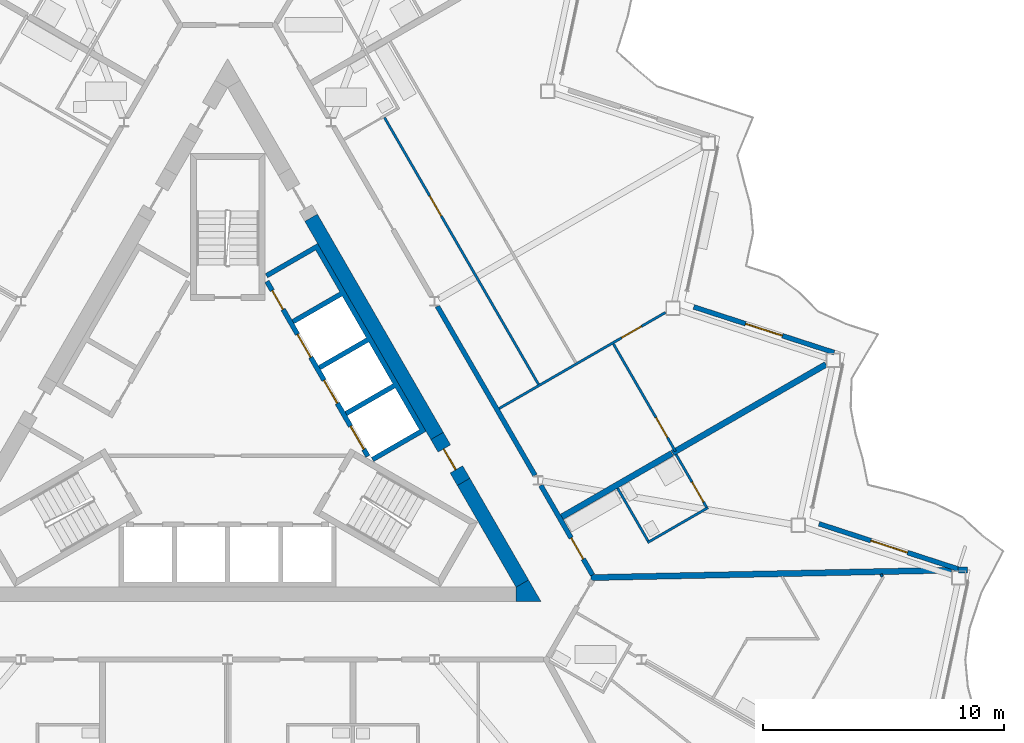
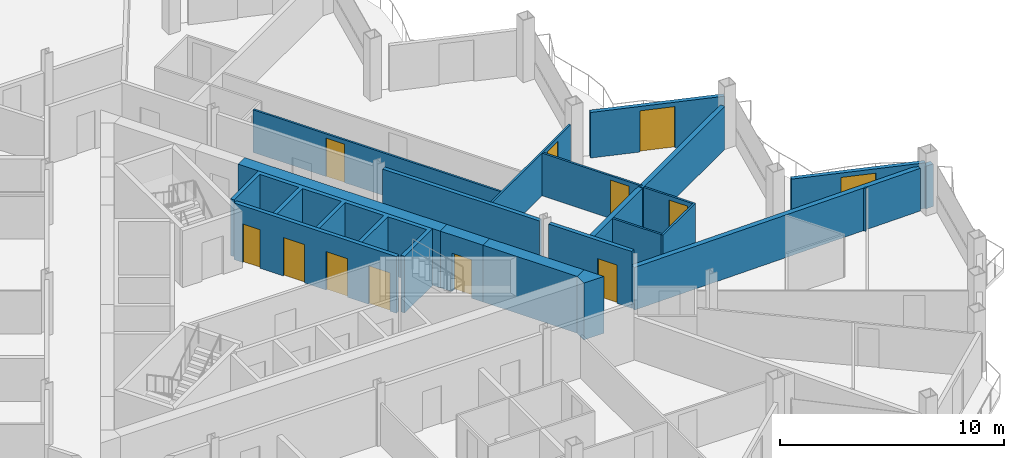
# One storey, part 17 of 27: 21 walls, 12 doors, 12 openings.
"""IFC4 building model written with IfcOpenShell, lengths in metres."""

from ifc_helpers import new_model, si_unit, direction, frame, frame_2d, origin, place, context, subcontext, project, spatial, polyline, rectangle, outline, extrude, material, layer, layer_set, type_object, element, fill, save


model = new_model("IFC4")

# Units and contexts
model_context = context("Model", 3, precision=1e-05, world=origin(), true_north=direction((0.0, 1.0)))
body_context = subcontext(model_context, "Body", "Model", "MODEL_VIEW")
ifc_project = project(units=[si_unit("LENGTHUNIT", "METRE"), si_unit("AREAUNIT", "SQUARE_METRE"), si_unit("VOLUMEUNIT", "CUBIC_METRE"), si_unit("PLANEANGLEUNIT", "RADIAN"), si_unit("MASSUNIT", "GRAM", prefix="KILO")], contexts=[model_context])

# Site, building, storey
site_placement = place(None, origin())
site = spatial("IfcSite", under=ifc_project, at=site_placement, CompositionType="ELEMENT")
building_placement = place(site_placement, origin())
building = spatial("IfcBuilding", under=site, at=building_placement, Name="Cormorant Prow Tower", CompositionType="ELEMENT")
storey_placement = place(building_placement, frame((0.0, 0.0, 318.800048828125)))
storey = spatial("IfcBuildingStorey", under=building, at=storey_placement, Name="L70", CompositionType="ELEMENT", Elevation=318.800048828125)

# Walls
ifc_material_1 = material(Name="Concrete 8000 psi", Category="concrete")
ifc_layer_1 = layer(ifc_material_1, 0.60009765625)
ifc_layer_set_1 = layer_set([ifc_layer_1], Name="Concrete 8000 psi")
wall_type_1 = type_object("IfcWallType", Name="Core shear wall 600", PredefinedType="SHEAR", material=ifc_layer_set_1)
wall_1_placement = place(storey_placement, frame((8.686279296875, -0.6337890625, 0.0), z_axis=(0.0, 0.0, 1.0), x_axis=(-0.50001836461, 0.866014800712, 0.0)))
element("IfcWall", 1, at=wall_1_placement, inside=storey, type_object=wall_type_1, Name="Core wall", PredefinedType="SHEAR", context=body_context, shape_type="SweptSolid", body=[
    extrude(rectangle(XDim=10.45068359375, YDim=0.60009765625, at=frame_2d((5.225341796875, 0.0))), origin(), (0.0, 0.0, 1.0), 3.099853515625),
])
wall_2_placement = place(storey_placement, frame((12.220703125, -6.755615234375, 0.0), z_axis=(0.0, 0.0, 1.0), x_axis=(-0.50000604952, 0.866021911064, 0.0)))
element("IfcWall", 2, at=wall_2_placement, inside=storey, type_object=wall_type_1, Name="Core wall", PredefinedType="SHEAR", context=body_context, shape_type="SweptSolid", body=[
    extrude(rectangle(XDim=4.86865234375, YDim=0.60009765625, at=frame_2d((2.434326171875, 0.0))), origin(), (0.0, 0.0, 1.0), 3.099853515625),
])
wall_3_placement = place(storey_placement, origin())
element("IfcWall", 3, at=wall_3_placement, inside=storey, type_object=wall_type_1, Name="Core wall corner", PredefinedType="SHEAR", context=body_context, shape_type="SweptSolid", body=[
    extrude(outline(polyline([(11.960693359375, -7.505615234375), (11.960693359375, -6.905517578125), (12.48046875, -6.605712890625), (13.0, -7.505615234375), (11.960693359375, -7.505615234375)])), origin(), (0.0, 0.0, 1.0), 3.099853515625),
])

# Wall, opening, door
wall_4_placement = place(storey_placement, frame((9.786376953125, -2.539306640625, 0.0), z_axis=(0.0, 0.0, 1.0), x_axis=(-0.499981787252, 0.866035918664, 0.0)))
wall_4 = element("IfcWall", 4, at=wall_4_placement, inside=storey, type_object=wall_type_1, Name="Core wall door panel", PredefinedType="SHEAR", context=body_context, shape_type="SweptSolid", body=[
    extrude(rectangle(XDim=2.2001953125, YDim=0.60009765625, at=frame_2d((1.10009765625, 0.0))), origin(), (0.0, 0.0, 1.0), 3.099853515625),
])
opening_1_placement = place(wall_4_placement, frame((0.60009765625, 0.0, 0.0)))
opening_1 = element("IfcOpeningElement", 5, at=opening_1_placement, cuts=wall_4, Name="Opening L70-C16", PredefinedType="OPENING", context=body_context, shape_type="SweptSolid", body=[
    extrude(rectangle(XDim=1.0, YDim=2.10009765625, at=frame_2d((0.5, 1.050048828125))), frame((0.0, 0.31005859375, 0.0), z_axis=(0.0, -1.0, 0.0), x_axis=(1.0, 0.0, 0.0)), (0.0, 0.0, 1.0), 0.6201171875),
])
ifc_material_2 = material(Name="Painted steel", Category="steel")
door_type_1 = type_object("IfcDoorType", Name="Service door 1000x2100", OperationType="NOTDEFINED", PredefinedType="DOOR", material=ifc_material_2)
door_1_placement = place(opening_1_placement, origin())
door_1 = element("IfcDoor", 6, at=door_1_placement, inside=storey, type_object=door_type_1, Name="Core door, Telecom room", OperationType="SINGLE_SWING_LEFT", OverallHeight=2.10009765625, OverallWidth=1.0, PredefinedType="DOOR", context=body_context, shape_type="SweptSolid", body=[
    extrude(rectangle(XDim=1.0, YDim=2.10009765625, at=frame_2d((0.5, 1.050048828125))), frame((0.0, 0.05517578125, 0.0), z_axis=(0.0, -1.0, 0.0), x_axis=(1.0, 0.0, 0.0)), (0.0, 0.0, 1.0), 0.050048828125),
])
fill(opening_1, door_1)

# Wall
ifc_material_3 = material(Name="Gypsum board corridor wall")
ifc_layer_2 = layer(ifc_material_3, 0.199951171875)
ifc_layer_set_2 = layer_set([ifc_layer_2], Name="Gypsum board corridor wall")
wall_type_2 = type_object("IfcWallType", Name="Corridor wall 200", PredefinedType="PARTITIONING", material=ifc_layer_set_2)
wall_5_placement = place(storey_placement, frame((8.698486328125, 4.7451171875, 0.0), z_axis=(0.0, 0.0, 1.0), x_axis=(0.499984266882, -0.866034487114, 0.0)))
element("IfcWall", 7, at=wall_5_placement, inside=storey, type_object=wall_type_2, Name="Corridor wall", PredefinedType="PARTITIONING", context=body_context, shape_type="SweptSolid", body=[
    extrude(rectangle(XDim=8.098876953125, YDim=0.199951171875, at=frame_2d((4.04931640625, 0.0))), origin(), (0.0, 0.0, 1.0), 3.099853515625),
])

# Wall, opening, door
wall_6_placement = place(storey_placement, frame((12.987548828125, -2.68408203125, 0.0), z_axis=(0.0, 0.0, 1.0), x_axis=(0.500003406062, -0.866023437285, 0.0)))
wall_6 = element("IfcWall", 8, at=wall_6_placement, inside=storey, type_object=wall_type_2, Name="Corridor wall", PredefinedType="PARTITIONING", context=body_context, shape_type="SweptSolid", body=[
    extrude(rectangle(XDim=4.28759765625, YDim=0.199951171875, at=frame_2d((2.143798828125, 0.0))), origin(), (0.0, 0.0, 1.0), 3.099853515625),
])
opening_2_placement = place(wall_6_placement, frame((2.521484375, 0.0, 0.0)))
opening_2 = element("IfcOpeningElement", 9, at=opening_2_placement, cuts=wall_6, Name="Opening L70-F23", PredefinedType="OPENING", context=body_context, shape_type="SweptSolid", body=[
    extrude(rectangle(XDim=1.0, YDim=2.10009765625, at=frame_2d((0.5, 1.050048828125))), frame((0.0, 0.10986328125, 0.0), z_axis=(0.0, -1.0, 0.0), x_axis=(1.0, 0.0, 0.0)), (0.0, 0.0, 1.0), 0.219970703125),
])
ifc_material_4 = material(Name="Timber door leaf", Category="wood")
door_type_2 = type_object("IfcDoorType", Name="Flat or room entrance door 1000x2100", OperationType="NOTDEFINED", PredefinedType="DOOR", material=ifc_material_4)
door_2_placement = place(opening_2_placement, origin())
door_2 = element("IfcDoor", 10, at=door_2_placement, inside=storey, type_object=door_type_2, Name="Studio living, kitchen and sleeping room door", OperationType="SINGLE_SWING_LEFT", OverallHeight=2.10009765625, OverallWidth=1.0, PredefinedType="DOOR", context=body_context, shape_type="SweptSolid", body=[
    extrude(rectangle(XDim=1.0, YDim=2.10009765625, at=frame_2d((0.5, 1.050048828125))), frame((0.0, 0.02490234375, 0.0), z_axis=(0.0, -1.0, 0.0), x_axis=(1.0, 0.0, 0.0)), (0.0, 0.0, 1.0), 0.050048828125),
])
fill(opening_2, door_2)

ifc_material_5 = material(Name="Gypsum board partition")
ifc_layer_3 = layer(ifc_material_5, 0.10009765625)
ifc_layer_set_3 = layer_set([ifc_layer_3], Name="Gypsum board partition")
wall_type_3 = type_object("IfcWallType", Name="Internal partition 100", PredefinedType="PARTITIONING", material=ifc_layer_set_3)
wall_7_placement = place(storey_placement, frame((6.50390625, 12.57177734375, 0.0), z_axis=(0.0, 0.0, 1.0), x_axis=(0.499998094172, -0.866026504112, 0.0)))
wall_7 = element("IfcWall", 11, at=wall_7_placement, inside=storey, type_object=wall_type_3, Name="Internal partition", PredefinedType="PARTITIONING", context=body_context, shape_type="SweptSolid", body=[
    extrude(rectangle(XDim=12.7783203125, YDim=0.10009765625, at=frame_2d((6.38916015625, 0.0))), origin(), (0.0, 0.0, 1.0), 2.330078125),
])
opening_3_placement = place(wall_7_placement, frame((3.7587890625, 0.0, 0.0)))
opening_3 = element("IfcOpeningElement", 12, at=opening_3_placement, cuts=wall_7, Name="Opening L70-F27", PredefinedType="OPENING", context=body_context, shape_type="SweptSolid", body=[
    extrude(rectangle(XDim=0.949951171875, YDim=2.10009765625, at=frame_2d((0.47509765625, 1.050048828125))), frame((0.0, 0.06005859375, 0.0), z_axis=(0.0, -1.0, 0.0), x_axis=(1.0, 0.0, 0.0)), (0.0, 0.0, 1.0), 0.1201171875),
])
ifc_material_6 = material(Name="Timber door leaf", Category="wood")
door_type_3 = type_object("IfcDoorType", Name="Bathroom door 950x2100", OperationType="NOTDEFINED", PredefinedType="DOOR", material=ifc_material_6)
door_3_placement = place(opening_3_placement, origin())
door_3 = element("IfcDoor", 13, at=door_3_placement, inside=storey, type_object=door_type_3, Name="Living room door", OperationType="SINGLE_SWING_RIGHT", OverallHeight=2.10009765625, OverallWidth=0.949951171875, PredefinedType="DOOR", context=body_context, shape_type="SweptSolid", body=[
    extrude(rectangle(XDim=0.949951171875, YDim=2.10009765625, at=frame_2d((0.47509765625, 1.050048828125))), frame((0.0, 0.02490234375, 0.0), z_axis=(0.0, -1.0, 0.0), x_axis=(1.0, 0.0, 0.0)), (0.0, 0.0, 1.0), 0.050048828125),
])
fill(opening_3, door_3)

wall_8_placement = place(storey_placement, frame((11.261474609375, 0.505615234375, 0.0), z_axis=(0.0, 0.0, 1.0), x_axis=(0.866024323732, 0.500001870701, 0.0)))
wall_8 = element("IfcWall", 14, at=wall_8_placement, inside=storey, type_object=wall_type_3, Name="Internal partition", PredefinedType="PARTITIONING", context=body_context, shape_type="SweptSolid", body=[
    extrude(rectangle(XDim=7.966796875, YDim=0.10009765625, at=frame_2d((3.9833984375, 0.0))), origin(), (0.0, 0.0, 1.0), 2.330078125),
])
opening_4_placement = place(wall_8_placement, frame((5.864501953125, 0.0, 0.0)))
opening_4 = element("IfcOpeningElement", 15, at=opening_4_placement, cuts=wall_8, Name="Opening L70-F29", PredefinedType="OPENING", context=body_context, shape_type="SweptSolid", body=[
    extrude(rectangle(XDim=0.949951171875, YDim=2.10009765625, at=frame_2d((0.47509765625, 1.050048828125))), frame((0.0, 0.06005859375, 0.0), z_axis=(0.0, -1.0, 0.0), x_axis=(1.0, 0.0, 0.0)), (0.0, 0.0, 1.0), 0.1201171875),
])
door_4_placement = place(opening_4_placement, origin())
door_4 = element("IfcDoor", 16, at=door_4_placement, inside=storey, type_object=door_type_3, Name="Dining room door", OperationType="SINGLE_SWING_LEFT", OverallHeight=2.10009765625, OverallWidth=0.949951171875, PredefinedType="DOOR", context=body_context, shape_type="SweptSolid", body=[
    extrude(rectangle(XDim=0.949951171875, YDim=2.10009765625, at=frame_2d((0.47509765625, 1.050048828125))), frame((0.0, 0.02490234375, 0.0), z_axis=(0.0, -1.0, 0.0), x_axis=(1.0, 0.0, 0.0)), (0.0, 0.0, 1.0), 0.050048828125),
])
fill(opening_4, door_4)

wall_9_placement = place(storey_placement, frame((15.9990234375, 3.18310546875, 0.0), z_axis=(0.0, 0.0, 1.0), x_axis=(0.500014207086, -0.866017201164, 0.0)))
wall_9 = element("IfcWall", 17, at=wall_9_placement, inside=storey, type_object=wall_type_3, Name="Internal partition", PredefinedType="PARTITIONING", context=body_context, shape_type="SweptSolid", body=[
    extrude(rectangle(XDim=5.142822265625, YDim=0.10009765625, at=frame_2d((2.5712890625, 0.0))), origin(), (0.0, 0.0, 1.0), 2.330078125),
])
opening_5_placement = place(wall_9_placement, frame((3.532470703125, 0.0, 0.0)))
opening_5 = element("IfcOpeningElement", 18, at=opening_5_placement, cuts=wall_9, Name="Opening L70-F30", PredefinedType="OPENING", context=body_context, shape_type="SweptSolid", body=[
    extrude(rectangle(XDim=0.949951171875, YDim=2.10009765625, at=frame_2d((0.47509765625, 1.050048828125))), frame((0.0, 0.06005859375, 0.0), z_axis=(0.0, -1.0, 0.0), x_axis=(1.0, 0.0, 0.0)), (0.0, 0.0, 1.0), 0.1201171875),
])
door_5_placement = place(opening_5_placement, origin())
door_5 = element("IfcDoor", 19, at=door_5_placement, inside=storey, type_object=door_type_3, Name="Bedroom door", OperationType="SINGLE_SWING_RIGHT", OverallHeight=2.10009765625, OverallWidth=0.949951171875, PredefinedType="DOOR", context=body_context, shape_type="SweptSolid", body=[
    extrude(rectangle(XDim=0.949951171875, YDim=2.10009765625, at=frame_2d((0.47509765625, 1.050048828125))), frame((0.0, 0.02490234375, 0.0), z_axis=(0.0, -1.0, 0.0), x_axis=(1.0, 0.0, 0.0)), (0.0, 0.0, 1.0), 0.050048828125),
])
fill(opening_5, door_5)

# Walls
wall_10_placement = place(storey_placement, frame((17.416259765625, -5.0546875, 0.0), z_axis=(0.0, 0.0, 1.0), x_axis=(0.866032775405, 0.499987231761, 0.0)))
element("IfcWall", 20, at=wall_10_placement, inside=storey, type_object=wall_type_3, Name="Internal partition", PredefinedType="PARTITIONING", context=body_context, shape_type="SweptSolid", body=[
    extrude(rectangle(XDim=2.89990234375, YDim=0.10009765625, at=frame_2d((1.449951171875, 0.0))), origin(), (0.0, 0.0, 1.0), 2.330078125),
])
wall_11_placement = place(storey_placement, frame((16.172119140625, -2.7998046875, 0.0), z_axis=(0.0, 0.0, 1.0), x_axis=(0.50001820224, -0.866014894461, 0.0)))
element("IfcWall", 21, at=wall_11_placement, inside=storey, type_object=wall_type_3, Name="Internal partition", PredefinedType="PARTITIONING", context=body_context, shape_type="SweptSolid", body=[
    extrude(rectangle(XDim=2.52490234375, YDim=0.10009765625, at=frame_2d((1.262451171875, 0.0))), origin(), (0.0, 0.0, 1.0), 2.330078125),
])

# Wall, opening, door
wall_12_placement = place(storey_placement, frame((18.596923828125, -1.399658203125, 0.0), z_axis=(0.0, 0.0, 1.0), x_axis=(0.499976333282, -0.866039067339, 0.0)))
wall_12 = element("IfcWall", 22, at=wall_12_placement, inside=storey, type_object=wall_type_3, Name="Internal partition", PredefinedType="PARTITIONING", context=body_context, shape_type="SweptSolid", body=[
    extrude(rectangle(XDim=2.52490234375, YDim=0.10009765625, at=frame_2d((1.262451171875, 0.0))), origin(), (0.0, 0.0, 1.0), 2.330078125),
])
opening_6_placement = place(wall_12_placement, frame((1.324951171875, 0.0, 0.0)))
opening_6 = element("IfcOpeningElement", 23, at=opening_6_placement, cuts=wall_12, Name="Opening L70-F24", PredefinedType="OPENING", context=body_context, shape_type="SweptSolid", body=[
    extrude(rectangle(XDim=0.949951171875, YDim=2.10009765625, at=frame_2d((0.47509765625, 1.050048828125))), frame((0.0, 0.06005859375, 0.0), z_axis=(0.0, -1.0, 0.0), x_axis=(1.0, 0.0, 0.0)), (0.0, 0.0, 1.0), 0.1201171875),
])
door_6_placement = place(opening_6_placement, origin())
door_6 = element("IfcDoor", 24, at=door_6_placement, inside=storey, type_object=door_type_3, Name="Studio living, kitchen and sleeping room door", OperationType="SINGLE_SWING_RIGHT", OverallHeight=2.10009765625, OverallWidth=0.949951171875, PredefinedType="DOOR", context=body_context, shape_type="SweptSolid", body=[
    extrude(rectangle(XDim=0.949951171875, YDim=2.10009765625, at=frame_2d((0.47509765625, 1.050048828125))), frame((0.0, 0.02490234375, 0.0), z_axis=(0.0, -1.0, 0.0), x_axis=(1.0, 0.0, 0.0)), (0.0, 0.0, 1.0), 0.050048828125),
])
fill(opening_6, door_6)

# Wall
wall_13_placement = place(storey_placement, frame((27.095703125, -6.369140625, 0.0), z_axis=(0.0, 0.0, 1.0), x_axis=(0.500768285049, -0.865581379588, 0.0)))
element("IfcWall", 25, at=wall_13_placement, inside=storey, type_object=wall_type_3, Name="Internal partition", PredefinedType="PARTITIONING", context=body_context, shape_type="SweptSolid", body=[
    extrude(rectangle(XDim=0.107666015625, YDim=0.10009765625, at=frame_2d((0.0537109375, 0.0))), origin(), (0.0, 0.0, 1.0), 2.330078125),
])

# Wall, openings, doors
ifc_material_7 = material(Name="Concrete 5000 psi", Category="concrete")
ifc_layer_4 = layer(ifc_material_7, 0.199951171875)
ifc_layer_set_4 = layer_set([ifc_layer_4], Name="Concrete 5000 psi")
wall_type_4 = type_object("IfcWallType", Name="Lift lobby wall 200", PredefinedType="SOLIDWALL", material=ifc_layer_set_4)
wall_14_placement = place(storey_placement, frame((5.817138671875, -1.4755859375, 0.0), z_axis=(0.0, 0.0, 1.0), x_axis=(-0.500002616675, 0.866023893041, 0.0)))
wall_14 = element("IfcWall", 26, at=wall_14_placement, inside=storey, type_object=wall_type_4, Name="Lift lobby wall, ENE block", PredefinedType="SOLIDWALL", context=body_context, shape_type="SweptSolid", body=[
    extrude(rectangle(XDim=8.373046875, YDim=0.199951171875, at=frame_2d((4.1865234375, 0.0))), origin(), (0.0, 0.0, 1.0), 3.099853515625),
])
opening_7_placement = place(wall_14_placement, frame((0.336669921875, 0.0, 0.0)))
opening_7 = element("IfcOpeningElement", 27, at=opening_7_placement, cuts=wall_14, Name="Opening L70-C05", PredefinedType="OPENING", context=body_context, shape_type="SweptSolid", body=[
    extrude(rectangle(XDim=1.10009765625, YDim=2.10009765625, at=frame_2d((0.550048828125, 1.050048828125))), frame((0.0, 0.10986328125, 0.0), z_axis=(0.0, -1.0, 0.0), x_axis=(1.0, 0.0, 0.0)), (0.0, 0.0, 1.0), 0.219970703125),
])
opening_8_placement = place(wall_14_placement, frame((2.53662109375, 0.0, 0.0)))
opening_8 = element("IfcOpeningElement", 28, at=opening_8_placement, cuts=wall_14, Name="Opening L70-C06", PredefinedType="OPENING", context=body_context, shape_type="SweptSolid", body=[
    extrude(rectangle(XDim=1.10009765625, YDim=2.10009765625, at=frame_2d((0.550048828125, 1.050048828125))), frame((0.0, 0.10986328125, 0.0), z_axis=(0.0, -1.0, 0.0), x_axis=(1.0, 0.0, 0.0)), (0.0, 0.0, 1.0), 0.219970703125),
])
opening_9_placement = place(wall_14_placement, frame((4.736572265625, 0.0, 0.0)))
opening_9 = element("IfcOpeningElement", 29, at=opening_9_placement, cuts=wall_14, Name="Opening L70-C07", PredefinedType="OPENING", context=body_context, shape_type="SweptSolid", body=[
    extrude(rectangle(XDim=1.10009765625, YDim=2.10009765625, at=frame_2d((0.550048828125, 1.050048828125))), frame((0.0, 0.10986328125, 0.0), z_axis=(0.0, -1.0, 0.0), x_axis=(1.0, 0.0, 0.0)), (0.0, 0.0, 1.0), 0.219970703125),
])
opening_10_placement = place(wall_14_placement, frame((7.03662109375, 0.0, 0.0)))
opening_10 = element("IfcOpeningElement", 30, at=opening_10_placement, cuts=wall_14, Name="Opening L70-C08", PredefinedType="OPENING", context=body_context, shape_type="SweptSolid", body=[
    extrude(rectangle(XDim=0.89990234375, YDim=2.10009765625, at=frame_2d((0.449951171875, 1.050048828125))), frame((0.0, 0.10986328125, 0.0), z_axis=(0.0, -1.0, 0.0), x_axis=(1.0, 0.0, 0.0)), (0.0, 0.0, 1.0), 0.219970703125),
])
ifc_material_8 = material(Name="Painted steel", Category="steel")
door_type_4 = type_object("IfcDoorType", Name="Lift landing door 1100x2100", OperationType="SLIDING_TO_LEFT", PredefinedType="DOOR", material=ifc_material_8)
door_7_placement = place(opening_7_placement, origin())
door_7 = element("IfcDoor", 31, at=door_7_placement, inside=storey, type_object=door_type_4, Name="Landing door HR2", OperationType="SLIDING_TO_LEFT", OverallHeight=2.10009765625, OverallWidth=1.10009765625, PredefinedType="DOOR", context=body_context, shape_type="SweptSolid", body=[
    extrude(rectangle(XDim=1.10009765625, YDim=2.10009765625, at=frame_2d((0.550048828125, 1.050048828125))), frame((0.0, 0.02490234375, 0.0), z_axis=(0.0, -1.0, 0.0), x_axis=(1.0, 0.0, 0.0)), (0.0, 0.0, 1.0), 0.050048828125),
])
fill(opening_7, door_7)
door_8_placement = place(opening_8_placement, origin())
door_8 = element("IfcDoor", 32, at=door_8_placement, inside=storey, type_object=door_type_4, Name="Landing door HR3", OperationType="SLIDING_TO_LEFT", OverallHeight=2.10009765625, OverallWidth=1.10009765625, PredefinedType="DOOR", context=body_context, shape_type="SweptSolid", body=[
    extrude(rectangle(XDim=1.10009765625, YDim=2.10009765625, at=frame_2d((0.550048828125, 1.050048828125))), frame((0.0, 0.02490234375, 0.0), z_axis=(0.0, -1.0, 0.0), x_axis=(1.0, 0.0, 0.0)), (0.0, 0.0, 1.0), 0.050048828125),
])
fill(opening_8, door_8)
door_9_placement = place(opening_9_placement, origin())
door_9 = element("IfcDoor", 33, at=door_9_placement, inside=storey, type_object=door_type_4, Name="Landing door HR4", OperationType="SLIDING_TO_LEFT", OverallHeight=2.10009765625, OverallWidth=1.10009765625, PredefinedType="DOOR", context=body_context, shape_type="SweptSolid", body=[
    extrude(rectangle(XDim=1.10009765625, YDim=2.10009765625, at=frame_2d((0.550048828125, 1.050048828125))), frame((0.0, 0.02490234375, 0.0), z_axis=(0.0, -1.0, 0.0), x_axis=(1.0, 0.0, 0.0)), (0.0, 0.0, 1.0), 0.050048828125),
])
fill(opening_9, door_9)
ifc_material_9 = material(Name="Painted steel", Category="steel")
door_type_5 = type_object("IfcDoorType", Name="Service door 900x2100", OperationType="NOTDEFINED", PredefinedType="DOOR", material=ifc_material_9)
door_10_placement = place(opening_10_placement, origin())
door_10 = element("IfcDoor", 34, at=door_10_placement, inside=storey, type_object=door_type_5, Name="Service door, Refuse store", OperationType="SINGLE_SWING_RIGHT", OverallHeight=2.10009765625, OverallWidth=0.89990234375, PredefinedType="DOOR", context=body_context, shape_type="SweptSolid", body=[
    extrude(rectangle(XDim=0.89990234375, YDim=2.10009765625, at=frame_2d((0.449951171875, 1.050048828125))), frame((0.0, 0.02490234375, 0.0), z_axis=(0.0, -1.0, 0.0), x_axis=(1.0, 0.0, 0.0)), (0.0, 0.0, 1.0), 0.050048828125),
])
fill(opening_10, door_10)

# Walls
ifc_material_10 = material(Name="Concrete 8000 psi", Category="concrete")
ifc_layer_5 = layer(ifc_material_10, 0.199951171875)
ifc_layer_set_5 = layer_set([ifc_layer_5], Name="Concrete 8000 psi")
wall_type_5 = type_object("IfcWallType", Name="Lift shaft wall 200", PredefinedType="SHEAR", material=ifc_layer_set_5)
wall_15_placement = place(storey_placement, origin())
element("IfcWall", 35, at=wall_15_placement, inside=storey, type_object=wall_type_5, Name="Lift shaft walls, ENE block", PredefinedType="SHEAR", context=body_context, shape_type="SweptSolid", body=[
    extrude(outline(polyline([(1.560546875, 6.09716796875), (3.730712890625, 7.35009765625), (8.230712890625, -0.444091796875), (6.060546875, -1.697021484375), (5.96044921875, -1.52392578125), (7.952392578125, -0.373779296875), (6.952392578125, 1.358154296875), (4.96044921875, 0.2080078125), (4.860595703125, 0.38134765625), (6.852294921875, 1.53125), (5.852294921875, 3.263427734375), (3.860595703125, 2.11328125), (3.760498046875, 2.28662109375), (5.75244140625, 3.4365234375), (4.75244140625, 5.168701171875), (2.760498046875, 4.018798828125), (2.660400390625, 4.19189453125), (4.65234375, 5.341796875), (3.65234375, 7.073974609375), (1.660400390625, 5.923828125), (1.560546875, 6.09716796875)])), origin(), (0.0, 0.0, 1.0), 3.099853515625),
])
ifc_material_11 = material(Name="Acoustic gypsum party wall")
ifc_layer_6 = layer(ifc_material_11, 0.25)
ifc_layer_set_6 = layer_set([ifc_layer_6], Name="Acoustic gypsum party wall")
wall_type_6 = type_object("IfcWallType", Name="Suite party wall 250", PredefinedType="PARTITIONING", material=ifc_layer_set_6)
wall_16_placement = place(storey_placement, frame((15.06884765625, -6.508056640625, 0.0), z_axis=(0.0, 0.0, 1.0), x_axis=(0.999786619639, 0.02065708573, 0.0)))
element("IfcWall", 36, at=wall_16_placement, inside=storey, type_object=wall_type_6, Name="Suite party wall", PredefinedType="PARTITIONING", context=body_context, shape_type="SweptSolid", body=[
    extrude(rectangle(XDim=14.95068359375, YDim=0.25, at=frame_2d((7.475341796875, 0.0))), origin(), (0.0, 0.0, 1.0), 2.330078125),
])
wall_17_placement = place(storey_placement, frame((18.45361328125, -1.338134765625, 0.0), z_axis=(0.0, 0.0, 1.0), x_axis=(0.866023407002, 0.500003458512, 0.0)))
element("IfcWall", 37, at=wall_17_placement, inside=storey, type_object=wall_type_6, Name="Suite party wall", PredefinedType="PARTITIONING", context=body_context, shape_type="SweptSolid", body=[
    extrude(rectangle(XDim=7.34521484375, YDim=0.25, at=frame_2d((3.672607421875, 0.0))), origin(), (0.0, 0.0, 1.0), 2.330078125),
])
wall_18_placement = place(storey_placement, frame((13.85791015625, -3.991455078125, 0.0), z_axis=(0.0, 0.0, 1.0), x_axis=(0.866032983855, 0.499986870703, 0.0)))
element("IfcWall", 38, at=wall_18_placement, inside=storey, type_object=wall_type_6, Name="Suite party wall", PredefinedType="PARTITIONING", context=body_context, shape_type="SweptSolid", body=[
    extrude(rectangle(XDim=5.275146484375, YDim=0.25, at=frame_2d((2.6376953125, 0.0))), origin(), (0.0, 0.0, 1.0), 2.330078125),
])
wall_19_placement = place(storey_placement, frame((30.30078125, -6.193359375, 0.0), z_axis=(0.0, 0.0, 1.0), x_axis=(0.999786840126, 0.020646411592, 0.0)))
element("IfcWall", 39, at=wall_19_placement, inside=storey, type_object=wall_type_6, Name="Suite party wall", PredefinedType="PARTITIONING", context=body_context, shape_type="SweptSolid", body=[
    extrude(rectangle(XDim=0.39013671875, YDim=0.25, at=frame_2d((0.195068359375, 0.0))), origin(), (0.0, 0.0, 1.0), 2.330078125),
])

# Wall, opening, door
ifc_material_12 = material(Name="Terracotta", Category="masonry")
ifc_layer_7 = layer(ifc_material_12, 0.199951171875)
ifc_layer_set_7 = layer_set([ifc_layer_7], Name="Terracotta")
wall_type_7 = type_object("IfcWallType", Name="Terracotta jamb wall 200", PredefinedType="SOLIDWALL", material=ifc_layer_set_7)
wall_20_placement = place(storey_placement, frame((30.347412109375, -6.16845703125, 0.0), z_axis=(0.0, 0.0, 1.0), x_axis=(-0.951053709789, 0.309025631781, 0.0)))
wall_20 = element("IfcWall", 40, at=wall_20_placement, inside=storey, type_object=wall_type_7, Name="Terracotta jamb wall ENE01", PredefinedType="SOLIDWALL", context=body_context, shape_type="SweptSolid", body=[
    extrude(rectangle(XDim=6.11962890625, YDim=0.199951171875, at=frame_2d((3.059814453125, 0.0))), origin(), (0.0, 0.0, 1.0), 2.48779296875),
])
opening_11_placement = place(wall_20_placement, frame((2.259765625, 0.0, 0.0)))
opening_11 = element("IfcOpeningElement", 41, at=opening_11_placement, cuts=wall_20, Name="Opening ED70.06", PredefinedType="OPENING", context=body_context, shape_type="SweptSolid", body=[
    extrude(rectangle(XDim=1.60009765625, YDim=2.25, at=frame_2d((0.800048828125, 1.125))), frame((0.0, 0.10986328125, 0.0), z_axis=(0.0, -1.0, 0.0), x_axis=(1.0, 0.0, 0.0)), (0.0, 0.0, 1.0), 0.219970703125),
])
ifc_material_13 = material(Name="Aluminium 6063-T6", Category="aluminium")
door_type_6 = type_object("IfcDoorType", Name="Balcony door 1600x2250", OperationType="DOUBLE_DOOR_SINGLE_SWING", PredefinedType="DOOR", material=ifc_material_13)
door_11_placement = place(opening_11_placement, origin())
door_11 = element("IfcDoor", 42, at=door_11_placement, inside=storey, type_object=door_type_6, Name="Balcony door ENE01 ED70.06", OperationType="DOUBLE_DOOR_SINGLE_SWING", OverallHeight=2.25, OverallWidth=1.60009765625, PredefinedType="DOOR", context=body_context, shape_type="SweptSolid", body=[
    extrude(rectangle(XDim=1.60009765625, YDim=2.25, at=frame_2d((0.800048828125, 1.125))), frame((0.0, 0.02490234375, 0.0), z_axis=(0.0, -1.0, 0.0), x_axis=(1.0, 0.0, 0.0)), (0.0, 0.0, 1.0), 0.050048828125),
])
fill(opening_11, door_11)

wall_21_placement = place(storey_placement, frame((25.154541015625, 2.825927734375, 0.0), z_axis=(0.0, 0.0, 1.0), x_axis=(-0.951053709789, 0.309025631781, 0.0)))
wall_21 = element("IfcWall", 43, at=wall_21_placement, inside=storey, type_object=wall_type_7, Name="Terracotta jamb wall ENE03", PredefinedType="SOLIDWALL", context=body_context, shape_type="SweptSolid", body=[
    extrude(rectangle(XDim=6.11962890625, YDim=0.199951171875, at=frame_2d((3.059814453125, 0.0))), origin(), (0.0, 0.0, 1.0), 2.48779296875),
])
opening_12_placement = place(wall_21_placement, frame((2.259765625, 0.0, 0.0)))
opening_12 = element("IfcOpeningElement", 44, at=opening_12_placement, cuts=wall_21, Name="Opening ED70.07", PredefinedType="OPENING", context=body_context, shape_type="SweptSolid", body=[
    extrude(rectangle(XDim=1.60009765625, YDim=2.25, at=frame_2d((0.800048828125, 1.125))), frame((0.0, 0.10986328125, 0.0), z_axis=(0.0, -1.0, 0.0), x_axis=(1.0, 0.0, 0.0)), (0.0, 0.0, 1.0), 0.219970703125),
])
door_12_placement = place(opening_12_placement, origin())
door_12 = element("IfcDoor", 45, at=door_12_placement, inside=storey, type_object=door_type_6, Name="Balcony door ENE03 ED70.07", OperationType="DOUBLE_DOOR_SINGLE_SWING", OverallHeight=2.25, OverallWidth=1.60009765625, PredefinedType="DOOR", context=body_context, shape_type="SweptSolid", body=[
    extrude(rectangle(XDim=1.60009765625, YDim=2.25, at=frame_2d((0.800048828125, 1.125))), frame((0.0, 0.02490234375, 0.0), z_axis=(0.0, -1.0, 0.0), x_axis=(1.0, 0.0, 0.0)), (0.0, 0.0, 1.0), 0.050048828125),
])
fill(opening_12, door_12)

save(model, "model.ifc")
